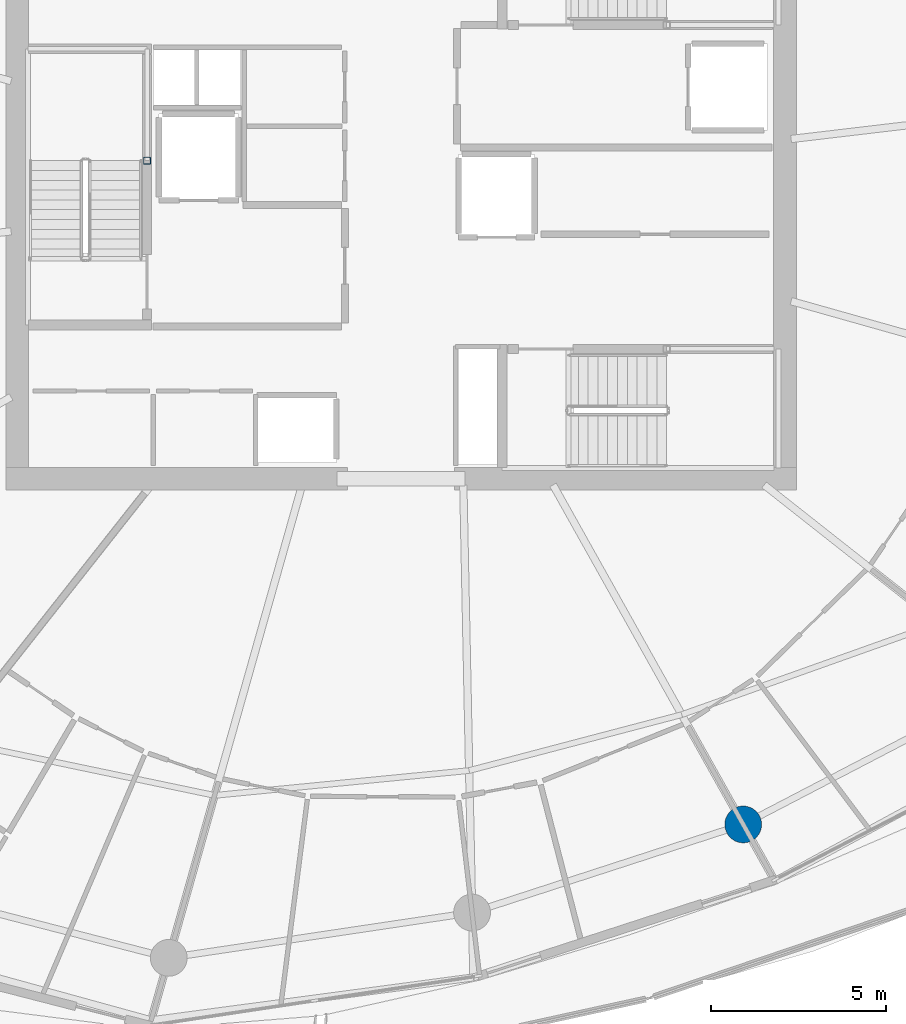
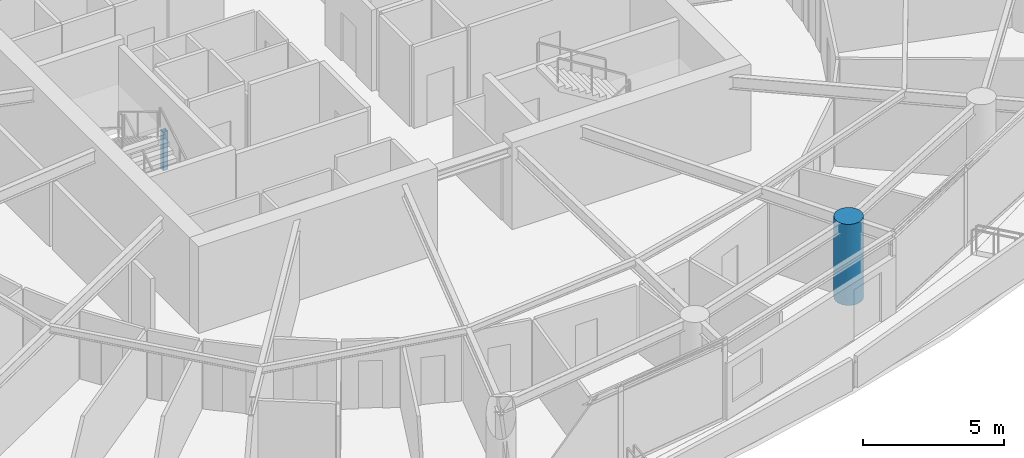
# One storey, part 2 of 21: 2 columns.
"""IFC4 building model written with IfcOpenShell, lengths in metres."""

from ifc_helpers import new_model, si_unit, direction, frame, origin, origin_2d, place, context, subcontext, project, spatial, hollow_rectangle, circle, extrude, material, material_profile, profile_set, type_object, element, save


model = new_model("IFC4")

# Units and contexts
model_context = context("Model", 3, precision=1e-05, world=origin(), true_north=direction((0.0, 1.0)))
body_context = subcontext(model_context, "Body", "Model", "MODEL_VIEW")
ifc_project = project(units=[si_unit("LENGTHUNIT", "METRE"), si_unit("AREAUNIT", "SQUARE_METRE"), si_unit("VOLUMEUNIT", "CUBIC_METRE"), si_unit("PLANEANGLEUNIT", "RADIAN"), si_unit("MASSUNIT", "GRAM", prefix="KILO")], contexts=[model_context])

# Site, building, storey
site_placement = place(None, origin())
site = spatial("IfcSite", under=ifc_project, at=site_placement, CompositionType="ELEMENT")
building_placement = place(site_placement, origin())
building = spatial("IfcBuilding", under=site, at=building_placement, Name="Kazma Halo Residences", CompositionType="ELEMENT")
storey_placement = place(building_placement, frame((0.0, 0.0, 187.800048828125)))
storey = spatial("IfcBuildingStorey", under=building, at=storey_placement, Name="L47", CompositionType="ELEMENT", Elevation=187.800048828125)

# Columns
ifc_material_1 = material(Name="Steel S355", Category="steel")
ifc_material_profile_1 = material_profile(ifc_material_1, hollow_rectangle(XDim=0.199951171875, YDim=0.199951171875, WallThickness=0.010009765625, InnerFilletRadius=0.010009765625, OuterFilletRadius=0.02001953125, at=origin_2d()), Name="SHS200x200x10")
ifc_profile_set_1 = profile_set([ifc_material_profile_1], Name="Steel S355")
column_type_1 = type_object("IfcColumnType", Name="COL-LP-SHS200", PredefinedType="COLUMN", material=ifc_profile_set_1)
column_1_placement = place(storey_placement, frame((41.179931640625, 42.75, 0.0), z_axis=(0.0, 0.0, 1.0), x_axis=(1.0, 0.0, 0.0)))
element("IfcColumn", 1, at=column_1_placement, inside=storey, type_object=column_type_1, Name="L47 ST-01 landing pilaster 1", PredefinedType="COLUMN", context=body_context, shape_type="SweptSolid", body=[
    extrude(hollow_rectangle(XDim=0.199951171875, YDim=0.199951171875, WallThickness=0.010009765625, InnerFilletRadius=0.010009765625, OuterFilletRadius=0.02001953125, at=origin_2d()), origin(), (0.0, 0.0, 1.0), 1.669921875),
])
ifc_material_2 = material(Name="Concrete C80/95", Category="concrete")
ifc_material_profile_2 = material_profile(ifc_material_2, circle(Radius=0.52490234375, at=origin_2d()), Name="CIRC1050")
ifc_profile_set_2 = profile_set([ifc_material_profile_2], Name="Concrete C80/95")
column_type_2 = type_object("IfcColumnType", Name="COL-PERIM-1050", PredefinedType="COLUMN", material=ifc_profile_set_2)
column_2_placement = place(storey_placement, frame((58.184814453125, 23.813720703125, 0.0), z_axis=(0.0, 0.0, 1.0), x_axis=(1.0, 0.0, 0.0)))
element("IfcColumn", 2, at=column_2_placement, inside=storey, type_object=column_type_2, Name="L47 perimeter ring column P13", PredefinedType="COLUMN", context=body_context, shape_type="SweptSolid", body=[
    extrude(circle(Radius=0.52490234375, at=origin_2d()), origin(), (0.0, 0.0, 1.0), 3.5),
])

save(model, "model.ifc")
